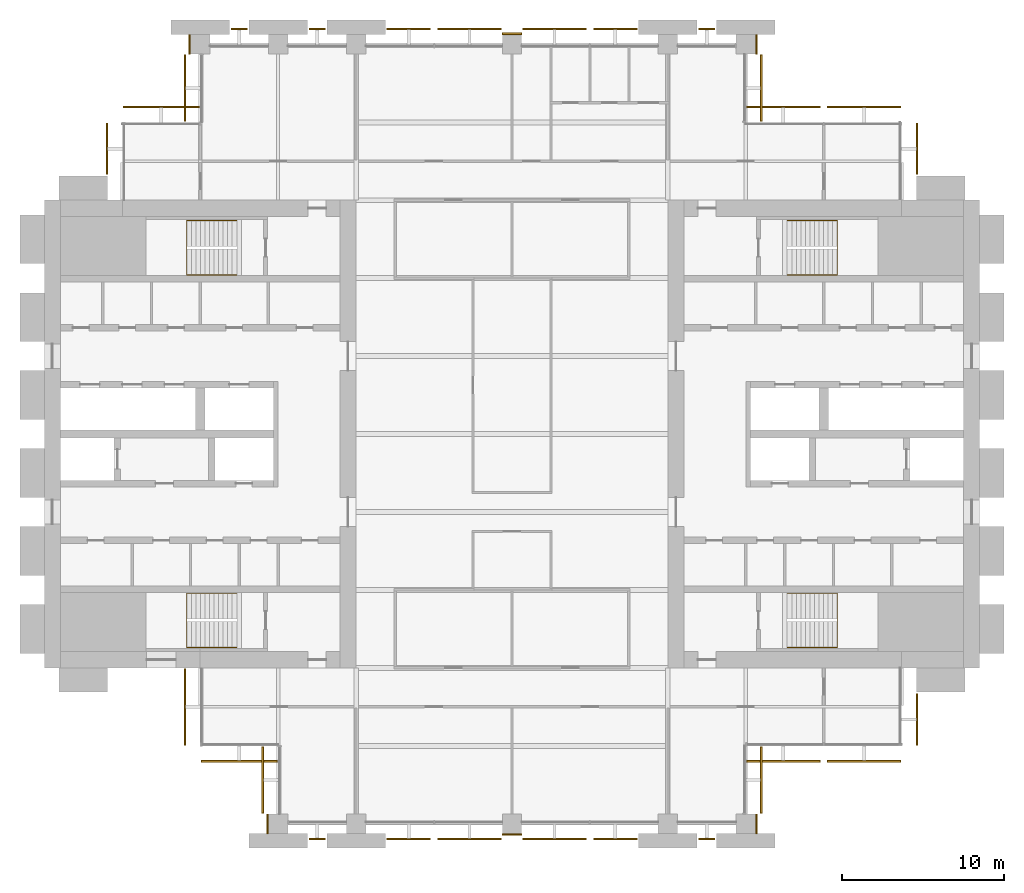
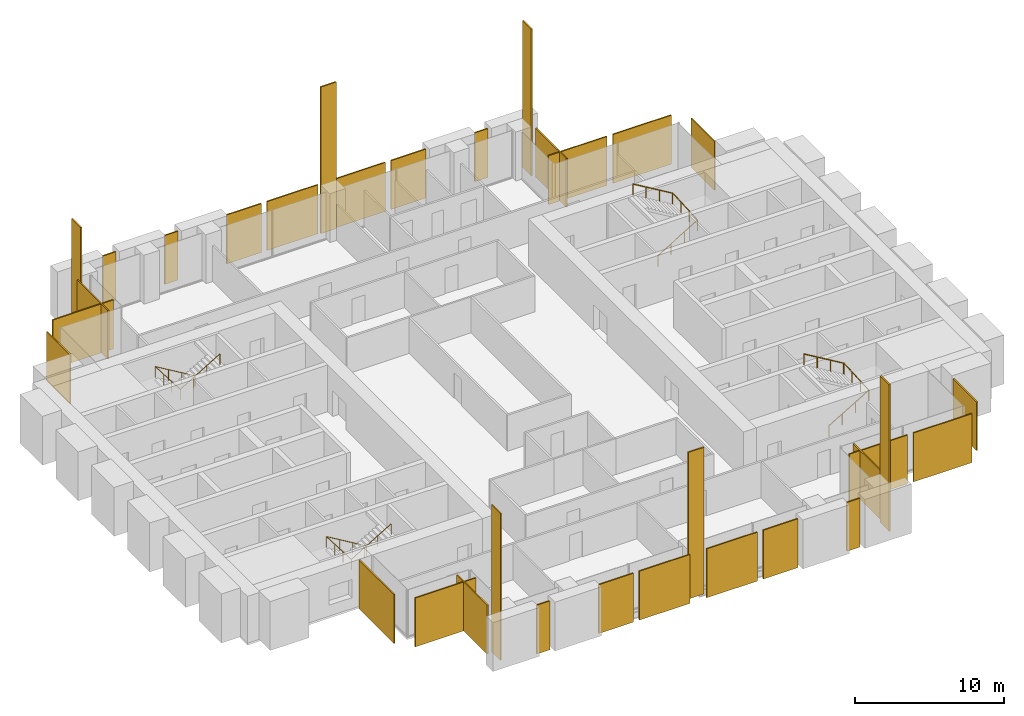
# One storey, part 14 of 14: 33 coverings, 4 railings.
"""IFC4 building model written with IfcOpenShell, lengths in metres."""

from ifc_helpers import new_model, si_unit, direction, frame, origin, origin_2d, place, context, subcontext, project, spatial, polyline, rectangle, circle, outline, extrude, material, layer, layer_set, type_object, element, save


model = new_model("IFC4")

# Units and contexts
model_context = context("Model", 3, precision=1e-05, world=origin(), true_north=direction((0.0, 1.0)))
body_context = subcontext(model_context, "Body", "Model", "MODEL_VIEW")
ifc_project = project(units=[si_unit("LENGTHUNIT", "METRE"), si_unit("AREAUNIT", "SQUARE_METRE"), si_unit("VOLUMEUNIT", "CUBIC_METRE"), si_unit("PLANEANGLEUNIT", "RADIAN"), si_unit("MASSUNIT", "GRAM", prefix="KILO")], contexts=[model_context])

# Site, building, storey
site_placement = place(None, origin())
site = spatial("IfcSite", under=ifc_project, at=site_placement, CompositionType="ELEMENT")
building_placement = place(site_placement, origin())
building = spatial("IfcBuilding", under=site, at=building_placement, Name="Baori Bourse Tower", CompositionType="ELEMENT")
storey_placement = place(building_placement, frame((0.0, 0.0, 108.10009765625)))
storey = spatial("IfcBuildingStorey", under=building, at=storey_placement, Name="L22", CompositionType="ELEMENT", Elevation=108.10009765625)

# Railings
ifc_material_1 = material(Name="Powder-coated steel balustrade", Category="steel")
railing_type = type_object("IfcRailingType", Name="Core stair handrail", PredefinedType="HANDRAIL", material=ifc_material_1)
railing_1_placement = place(storey_placement, frame((11.85009765625, 14.199951171875, 0.16650390625)))
element("IfcRailing", 1, at=railing_1_placement, inside=storey, type_object=railing_type, Name="L22 ST1 stair handrail 1", PredefinedType="HANDRAIL", context=body_context, shape_type="SweptSolid", body=[
    extrude(circle(Radius=0.02392578125, at=origin_2d()), frame((0.0, 0.0, 0.8759765625), z_axis=(-0.85927862911, 0.0, 0.511507807912), x_axis=(0.0, -1.0, 0.0)), (0.0, 0.0, 1.0), 3.58447265625),
    extrude(circle(Radius=0.02392578125, at=origin_2d()), frame((-3.080078125, 0.0, 2.70947265625), z_axis=(0.0, -0.998766999029, 0.049643545903), x_axis=(1.0, 0.0, 0.0)), (0.0, 0.0, 1.0), 3.35400390625),
    extrude(circle(Radius=0.02392578125, at=origin_2d()), frame((-3.080078125, -3.349853515625, 2.8759765625), z_axis=(0.85927862911, 0.0, 0.511507807912), x_axis=(0.0, 1.0, 0.0)), (0.0, 0.0, 1.0), 3.58447265625),
    extrude(circle(Radius=0.02099609375, at=origin_2d()), origin(), (0.0, 0.0, 1.0), 0.851806640625),
    extrude(circle(Radius=0.02099609375, at=origin_2d()), frame((-1.026611328125, 0.0, 0.611083984375)), (0.0, 0.0, 1.0), 0.851806640625),
    extrude(circle(Radius=0.02099609375, at=origin_2d()), frame((-2.053466796875, 0.0, 1.222412109375)), (0.0, 0.0, 1.0), 0.851806640625),
    extrude(circle(Radius=0.02099609375, at=origin_2d()), frame((-3.080078125, 0.0, 1.83349609375)), (0.0, 0.0, 1.0), 0.851806640625),
    extrude(circle(Radius=0.02099609375, at=origin_2d()), frame((-3.080078125, -1.11669921875, 1.888916015625)), (0.0, 0.0, 1.0), 0.851806640625),
    extrude(circle(Radius=0.02099609375, at=origin_2d()), frame((-3.080078125, -2.233154296875, 1.944580078125)), (0.0, 0.0, 1.0), 0.851806640625),
    extrude(circle(Radius=0.02099609375, at=origin_2d()), frame((-3.080078125, -3.349853515625, 2.0)), (0.0, 0.0, 1.0), 0.851806640625),
    extrude(circle(Radius=0.02099609375, at=origin_2d()), frame((-2.053466796875, -3.349853515625, 2.611083984375)), (0.0, 0.0, 1.0), 0.851806640625),
    extrude(circle(Radius=0.02099609375, at=origin_2d()), frame((-1.026611328125, -3.349853515625, 3.222412109375)), (0.0, 0.0, 1.0), 0.851806640625),
    extrude(circle(Radius=0.02099609375, at=origin_2d()), frame((0.0, -3.349853515625, 3.83349609375)), (0.0, 0.0, 1.0), 0.851806640625),
])
railing_2_placement = place(storey_placement, frame((11.85009765625, 37.14990234375, 0.16650390625)))
element("IfcRailing", 2, at=railing_2_placement, inside=storey, type_object=railing_type, Name="L22 ST2 stair handrail 1", PredefinedType="HANDRAIL", context=body_context, shape_type="SweptSolid", body=[
    extrude(circle(Radius=0.02392578125, at=origin_2d()), frame((0.0, 0.0, 0.8759765625), z_axis=(-0.85927862911, 0.0, 0.511507807912), x_axis=(0.0, -1.0, 0.0)), (0.0, 0.0, 1.0), 3.58447265625),
    extrude(circle(Radius=0.02392578125, at=origin_2d()), frame((-3.080078125, 0.0, 2.70947265625), z_axis=(0.0, -0.998766999029, 0.049643545903), x_axis=(1.0, 0.0, 0.0)), (0.0, 0.0, 1.0), 3.35400390625),
    extrude(circle(Radius=0.02392578125, at=origin_2d()), frame((-3.080078125, -3.349853515625, 2.8759765625), z_axis=(0.85927862911, 0.0, 0.511507807912), x_axis=(0.0, 1.0, 0.0)), (0.0, 0.0, 1.0), 3.58447265625),
    extrude(circle(Radius=0.02099609375, at=origin_2d()), origin(), (0.0, 0.0, 1.0), 0.851806640625),
    extrude(circle(Radius=0.02099609375, at=origin_2d()), frame((-1.026611328125, 0.0, 0.611083984375)), (0.0, 0.0, 1.0), 0.851806640625),
    extrude(circle(Radius=0.02099609375, at=origin_2d()), frame((-2.053466796875, 0.0, 1.222412109375)), (0.0, 0.0, 1.0), 0.851806640625),
    extrude(circle(Radius=0.02099609375, at=origin_2d()), frame((-3.080078125, 0.0, 1.83349609375)), (0.0, 0.0, 1.0), 0.851806640625),
    extrude(circle(Radius=0.02099609375, at=origin_2d()), frame((-3.080078125, -1.11669921875, 1.888916015625)), (0.0, 0.0, 1.0), 0.851806640625),
    extrude(circle(Radius=0.02099609375, at=origin_2d()), frame((-3.080078125, -2.233154296875, 1.944580078125)), (0.0, 0.0, 1.0), 0.851806640625),
    extrude(circle(Radius=0.02099609375, at=origin_2d()), frame((-3.080078125, -3.349853515625, 2.0)), (0.0, 0.0, 1.0), 0.851806640625),
    extrude(circle(Radius=0.02099609375, at=origin_2d()), frame((-2.053466796875, -3.349853515625, 2.611083984375)), (0.0, 0.0, 1.0), 0.851806640625),
    extrude(circle(Radius=0.02099609375, at=origin_2d()), frame((-1.026611328125, -3.349853515625, 3.222412109375)), (0.0, 0.0, 1.0), 0.851806640625),
    extrude(circle(Radius=0.02099609375, at=origin_2d()), frame((0.0, -3.349853515625, 3.83349609375)), (0.0, 0.0, 1.0), 0.851806640625),
])
railing_3_placement = place(storey_placement, frame((45.75, 10.85009765625, 0.16650390625)))
element("IfcRailing", 3, at=railing_3_placement, inside=storey, type_object=railing_type, Name="L22 ST3 stair handrail 1", PredefinedType="HANDRAIL", context=body_context, shape_type="SweptSolid", body=[
    extrude(circle(Radius=0.02392578125, at=origin_2d()), frame((0.0, 0.0, 0.8759765625), z_axis=(0.85927862911, 0.0, 0.511507807912), x_axis=(0.0, 1.0, 0.0)), (0.0, 0.0, 1.0), 3.58447265625),
    extrude(circle(Radius=0.02392578125, at=origin_2d()), frame((3.080078125, 0.0, 2.70947265625), z_axis=(0.0, 0.998766999029, 0.049643545903), x_axis=(-1.0, 0.0, 0.0)), (0.0, 0.0, 1.0), 3.35400390625),
    extrude(circle(Radius=0.02392578125, at=origin_2d()), frame((3.080078125, 3.349853515625, 2.8759765625), z_axis=(-0.85927862911, 0.0, 0.511507807912), x_axis=(0.0, -1.0, 0.0)), (0.0, 0.0, 1.0), 3.58447265625),
    extrude(circle(Radius=0.02099609375, at=origin_2d()), origin(), (0.0, 0.0, 1.0), 0.851806640625),
    extrude(circle(Radius=0.02099609375, at=origin_2d()), frame((1.026611328125, 0.0, 0.611083984375)), (0.0, 0.0, 1.0), 0.851806640625),
    extrude(circle(Radius=0.02099609375, at=origin_2d()), frame((2.053466796875, 0.0, 1.222412109375)), (0.0, 0.0, 1.0), 0.851806640625),
    extrude(circle(Radius=0.02099609375, at=origin_2d()), frame((3.080078125, 0.0, 1.83349609375)), (0.0, 0.0, 1.0), 0.851806640625),
    extrude(circle(Radius=0.02099609375, at=origin_2d()), frame((3.080078125, 1.11669921875, 1.888916015625)), (0.0, 0.0, 1.0), 0.851806640625),
    extrude(circle(Radius=0.02099609375, at=origin_2d()), frame((3.080078125, 2.233154296875, 1.944580078125)), (0.0, 0.0, 1.0), 0.851806640625),
    extrude(circle(Radius=0.02099609375, at=origin_2d()), frame((3.080078125, 3.349853515625, 2.0)), (0.0, 0.0, 1.0), 0.851806640625),
    extrude(circle(Radius=0.02099609375, at=origin_2d()), frame((2.053466796875, 3.349853515625, 2.611083984375)), (0.0, 0.0, 1.0), 0.851806640625),
    extrude(circle(Radius=0.02099609375, at=origin_2d()), frame((1.026611328125, 3.349853515625, 3.222412109375)), (0.0, 0.0, 1.0), 0.851806640625),
    extrude(circle(Radius=0.02099609375, at=origin_2d()), frame((0.0, 3.349853515625, 3.83349609375)), (0.0, 0.0, 1.0), 0.851806640625),
])
railing_4_placement = place(storey_placement, frame((45.75, 33.800048828125, 0.16650390625)))
element("IfcRailing", 4, at=railing_4_placement, inside=storey, type_object=railing_type, Name="L22 ST4 stair handrail 1", PredefinedType="HANDRAIL", context=body_context, shape_type="SweptSolid", body=[
    extrude(circle(Radius=0.02392578125, at=origin_2d()), frame((0.0, 0.0, 0.8759765625), z_axis=(0.85927862911, 0.0, 0.511507807912), x_axis=(0.0, 1.0, 0.0)), (0.0, 0.0, 1.0), 3.58447265625),
    extrude(circle(Radius=0.02392578125, at=origin_2d()), frame((3.080078125, 0.0, 2.70947265625), z_axis=(0.0, 0.998766999029, 0.049643545903), x_axis=(-1.0, 0.0, 0.0)), (0.0, 0.0, 1.0), 3.35400390625),
    extrude(circle(Radius=0.02392578125, at=origin_2d()), frame((3.080078125, 3.349853515625, 2.8759765625), z_axis=(-0.85927862911, 0.0, 0.511507807912), x_axis=(0.0, -1.0, 0.0)), (0.0, 0.0, 1.0), 3.58447265625),
    extrude(circle(Radius=0.02099609375, at=origin_2d()), origin(), (0.0, 0.0, 1.0), 0.851806640625),
    extrude(circle(Radius=0.02099609375, at=origin_2d()), frame((1.026611328125, 0.0, 0.611083984375)), (0.0, 0.0, 1.0), 0.851806640625),
    extrude(circle(Radius=0.02099609375, at=origin_2d()), frame((2.053466796875, 0.0, 1.222412109375)), (0.0, 0.0, 1.0), 0.851806640625),
    extrude(circle(Radius=0.02099609375, at=origin_2d()), frame((3.080078125, 0.0, 1.83349609375)), (0.0, 0.0, 1.0), 0.851806640625),
    extrude(circle(Radius=0.02099609375, at=origin_2d()), frame((3.080078125, 1.11669921875, 1.888916015625)), (0.0, 0.0, 1.0), 0.851806640625),
    extrude(circle(Radius=0.02099609375, at=origin_2d()), frame((3.080078125, 2.233154296875, 1.944580078125)), (0.0, 0.0, 1.0), 0.851806640625),
    extrude(circle(Radius=0.02099609375, at=origin_2d()), frame((3.080078125, 3.349853515625, 2.0)), (0.0, 0.0, 1.0), 0.851806640625),
    extrude(circle(Radius=0.02099609375, at=origin_2d()), frame((2.053466796875, 3.349853515625, 2.611083984375)), (0.0, 0.0, 1.0), 0.851806640625),
    extrude(circle(Radius=0.02099609375, at=origin_2d()), frame((1.026611328125, 3.349853515625, 3.222412109375)), (0.0, 0.0, 1.0), 0.851806640625),
    extrude(circle(Radius=0.02099609375, at=origin_2d()), frame((0.0, 3.349853515625, 3.83349609375)), (0.0, 0.0, 1.0), 0.851806640625),
])

# Coverings
ifc_material_2 = material(Name="Pale anodised aluminium", Category="aluminium")
ifc_layer_1 = layer(ifc_material_2, 0.10009765625)
ifc_layer_set_1 = layer_set([ifc_layer_1], Name="OS3 Outer skin screen panel")
covering_type_1 = type_object("IfcCoveringType", Name="OS3 Outer skin screen panel", PredefinedType="CLADDING", material=ifc_layer_set_1)
covering_1_placement = place(storey_placement, frame((0.0, 0.0, -0.16015625)))
element("IfcCovering", 5, at=covering_1_placement, inside=storey, type_object=covering_type_1, Name="Outer skin screen L22 1", PredefinedType="CLADDING", context=body_context, shape_type="SweptSolid", body=[
    extrude(outline(polyline([(53.699951171875, 43.14990234375), (53.699951171875, 40.0), (53.800048828125, 40.0), (53.800048828125, 43.14990234375), (53.699951171875, 43.14990234375)])), origin(), (0.0, 0.0, 1.0), 4.0),
])
covering_2_placement = place(storey_placement, frame((0.0, 0.0, -0.16015625)))
element("IfcCovering", 6, at=covering_2_placement, inside=storey, type_object=covering_type_1, Name="Outer skin screen L22 2", PredefinedType="CLADDING", context=body_context, shape_type="SweptSolid", body=[
    extrude(outline(polyline([(48.22509765625, 44.10009765625), (52.75, 44.10009765625), (52.75, 44.199951171875), (48.22509765625, 44.199951171875), (48.22509765625, 44.10009765625)])), origin(), (0.0, 0.0, 1.0), 4.0),
])
covering_3_placement = place(storey_placement, frame((0.0, 0.0, -0.16015625)))
element("IfcCovering", 7, at=covering_3_placement, inside=storey, type_object=covering_type_1, Name="Outer skin screen L22 3", PredefinedType="CLADDING", context=body_context, shape_type="SweptSolid", body=[
    extrude(outline(polyline([(43.25, 44.10009765625), (47.77490234375, 44.10009765625), (47.77490234375, 44.199951171875), (43.25, 44.199951171875), (43.25, 44.10009765625)])), origin(), (0.0, 0.0, 1.0), 4.0),
])
covering_4_placement = place(storey_placement, frame((0.0, 0.0, -0.16015625)))
element("IfcCovering", 8, at=covering_4_placement, inside=storey, type_object=covering_type_1, Name="Outer skin screen L22 4", PredefinedType="CLADDING", context=body_context, shape_type="SweptSolid", body=[
    extrude(outline(polyline([(44.10009765625, 47.35009765625), (44.10009765625, 43.25), (44.199951171875, 43.25), (44.199951171875, 47.35009765625), (44.10009765625, 47.35009765625)])), origin(), (0.0, 0.0, 1.0), 4.0),
])
covering_5_placement = place(storey_placement, frame((0.0, 0.0, -0.16015625)))
element("IfcCovering", 9, at=covering_5_placement, inside=storey, type_object=covering_type_1, Name="Outer skin screen L22 5", PredefinedType="CLADDING", context=body_context, shape_type="SweptSolid", body=[
    extrude(outline(polyline([(40.300048828125, 48.89990234375), (41.300048828125, 48.89990234375), (41.300048828125, 49.0), (40.300048828125, 49.0), (40.300048828125, 48.89990234375)])), origin(), (0.0, 0.0, 1.0), 4.0),
])
covering_6_placement = place(storey_placement, frame((0.0, 0.0, -0.16015625)))
element("IfcCovering", 10, at=covering_6_placement, inside=storey, type_object=covering_type_1, Name="Outer skin screen L22 6", PredefinedType="CLADDING", context=body_context, shape_type="SweptSolid", body=[
    extrude(outline(polyline([(33.824951171875, 48.89990234375), (36.5, 48.89990234375), (36.5, 49.0), (33.824951171875, 49.0), (33.824951171875, 48.89990234375)])), origin(), (0.0, 0.0, 1.0), 4.0),
])
covering_7_placement = place(storey_placement, frame((0.0, 0.0, -0.16015625)))
element("IfcCovering", 11, at=covering_7_placement, inside=storey, type_object=covering_type_1, Name="Outer skin screen L22 7", PredefinedType="CLADDING", context=body_context, shape_type="SweptSolid", body=[
    extrude(outline(polyline([(29.449951171875, 48.89990234375), (33.375, 48.89990234375), (33.375, 49.0), (29.449951171875, 49.0), (29.449951171875, 48.89990234375)])), origin(), (0.0, 0.0, 1.0), 4.0),
])
covering_8_placement = place(storey_placement, frame((0.0, 0.0, -0.16015625)))
element("IfcCovering", 12, at=covering_8_placement, inside=storey, type_object=covering_type_1, Name="Outer skin screen L22 8", PredefinedType="CLADDING", context=body_context, shape_type="SweptSolid", body=[
    extrude(outline(polyline([(24.22509765625, 48.89990234375), (28.14990234375, 48.89990234375), (28.14990234375, 49.0), (24.22509765625, 49.0), (24.22509765625, 48.89990234375)])), origin(), (0.0, 0.0, 1.0), 4.0),
])
covering_9_placement = place(storey_placement, frame((0.0, 0.0, -0.16015625)))
element("IfcCovering", 13, at=covering_9_placement, inside=storey, type_object=covering_type_1, Name="Outer skin screen L22 9", PredefinedType="CLADDING", context=body_context, shape_type="SweptSolid", body=[
    extrude(outline(polyline([(21.10009765625, 48.89990234375), (23.77490234375, 48.89990234375), (23.77490234375, 49.0), (21.10009765625, 49.0), (21.10009765625, 48.89990234375)])), origin(), (0.0, 0.0, 1.0), 4.0),
])
covering_10_placement = place(storey_placement, frame((0.0, 0.0, -0.16015625)))
element("IfcCovering", 14, at=covering_10_placement, inside=storey, type_object=covering_type_1, Name="Outer skin screen L22 10", PredefinedType="CLADDING", context=body_context, shape_type="SweptSolid", body=[
    extrude(outline(polyline([(16.300048828125, 48.89990234375), (17.300048828125, 48.89990234375), (17.300048828125, 49.0), (16.300048828125, 49.0), (16.300048828125, 48.89990234375)])), origin(), (0.0, 0.0, 1.0), 4.0),
])
covering_11_placement = place(storey_placement, frame((0.0, 0.0, -0.16015625)))
element("IfcCovering", 15, at=covering_11_placement, inside=storey, type_object=covering_type_1, Name="Outer skin screen L22 11", PredefinedType="CLADDING", context=body_context, shape_type="SweptSolid", body=[
    extrude(outline(polyline([(11.5, 48.89990234375), (12.5, 48.89990234375), (12.5, 49.0), (11.5, 49.0), (11.5, 48.89990234375)])), origin(), (0.0, 0.0, 1.0), 4.0),
])
covering_12_placement = place(storey_placement, frame((0.0, 0.0, -0.16015625)))
element("IfcCovering", 16, at=covering_12_placement, inside=storey, type_object=covering_type_1, Name="Outer skin screen L22 12", PredefinedType="CLADDING", context=body_context, shape_type="SweptSolid", body=[
    extrude(outline(polyline([(8.699951171875, 43.25), (8.699951171875, 47.35009765625), (8.60009765625, 47.35009765625), (8.60009765625, 43.25), (8.699951171875, 43.25)])), origin(), (0.0, 0.0, 1.0), 4.0),
])
covering_13_placement = place(storey_placement, frame((0.0, 0.0, -0.16015625)))
element("IfcCovering", 17, at=covering_13_placement, inside=storey, type_object=covering_type_1, Name="Outer skin screen L22 13", PredefinedType="CLADDING", context=body_context, shape_type="SweptSolid", body=[
    extrude(outline(polyline([(4.85009765625, 44.10009765625), (9.550048828125, 44.10009765625), (9.550048828125, 44.199951171875), (4.85009765625, 44.199951171875), (4.85009765625, 44.10009765625)])), origin(), (0.0, 0.0, 1.0), 4.0),
])
covering_14_placement = place(storey_placement, frame((0.0, 0.0, -0.16015625)))
element("IfcCovering", 18, at=covering_14_placement, inside=storey, type_object=covering_type_1, Name="Outer skin screen L22 14", PredefinedType="CLADDING", context=body_context, shape_type="SweptSolid", body=[
    extrude(outline(polyline([(3.89990234375, 40.0), (3.89990234375, 43.14990234375), (3.800048828125, 43.14990234375), (3.800048828125, 40.0), (3.89990234375, 40.0), (3.89990234375, 40.0)])), origin(), (0.0, 0.0, 1.0), 4.0),
])
covering_15_placement = place(storey_placement, frame((0.0, 0.0, -0.16015625)))
element("IfcCovering", 19, at=covering_15_placement, inside=storey, type_object=covering_type_1, Name="Outer skin screen L22 15", PredefinedType="CLADDING", context=body_context, shape_type="SweptSolid", body=[
    extrude(outline(polyline([(8.699951171875, 4.85009765625), (8.699951171875, 9.550048828125), (8.60009765625, 9.550048828125), (8.60009765625, 4.85009765625), (8.699951171875, 4.85009765625)])), origin(), (0.0, 0.0, 1.0), 4.0),
])
covering_16_placement = place(storey_placement, frame((0.0, 0.0, -0.16015625)))
element("IfcCovering", 20, at=covering_16_placement, inside=storey, type_object=covering_type_1, Name="Outer skin screen L22 16", PredefinedType="CLADDING", context=body_context, shape_type="SweptSolid", body=[
    extrude(outline(polyline([(14.35009765625, 3.89990234375), (9.64990234375, 3.89990234375), (9.64990234375, 3.800048828125), (14.35009765625, 3.800048828125), (14.35009765625, 3.89990234375)])), origin(), (0.0, 0.0, 1.0), 4.0),
])
covering_17_placement = place(storey_placement, frame((0.0, 0.0, -0.16015625)))
element("IfcCovering", 21, at=covering_17_placement, inside=storey, type_object=covering_type_1, Name="Outer skin screen L22 17", PredefinedType="CLADDING", context=body_context, shape_type="SweptSolid", body=[
    extrude(outline(polyline([(13.5, 0.64990234375), (13.5, 4.75), (13.39990234375, 4.75), (13.39990234375, 0.64990234375), (13.5, 0.64990234375)])), origin(), (0.0, 0.0, 1.0), 4.0),
])
covering_18_placement = place(storey_placement, frame((0.0, 0.0, -0.16015625)))
element("IfcCovering", 22, at=covering_18_placement, inside=storey, type_object=covering_type_1, Name="Outer skin screen L22 18", PredefinedType="CLADDING", context=body_context, shape_type="SweptSolid", body=[
    extrude(outline(polyline([(17.300048828125, -0.89990234375), (16.300048828125, -0.89990234375), (16.300048828125, -1.0), (17.300048828125, -1.0), (17.300048828125, -0.89990234375)])), origin(), (0.0, 0.0, 1.0), 4.0),
])
covering_19_placement = place(storey_placement, frame((0.0, 0.0, -0.16015625)))
element("IfcCovering", 23, at=covering_19_placement, inside=storey, type_object=covering_type_1, Name="Outer skin screen L22 19", PredefinedType="CLADDING", context=body_context, shape_type="SweptSolid", body=[
    extrude(outline(polyline([(23.77490234375, -0.89990234375), (21.10009765625, -0.89990234375), (21.10009765625, -1.0), (23.77490234375, -1.0), (23.77490234375, -0.89990234375)])), origin(), (0.0, 0.0, 1.0), 4.0),
])
covering_20_placement = place(storey_placement, frame((0.0, 0.0, -0.16015625)))
element("IfcCovering", 24, at=covering_20_placement, inside=storey, type_object=covering_type_1, Name="Outer skin screen L22 20", PredefinedType="CLADDING", context=body_context, shape_type="SweptSolid", body=[
    extrude(outline(polyline([(28.14990234375, -0.89990234375), (24.22509765625, -0.89990234375), (24.22509765625, -1.0), (28.14990234375, -1.0), (28.14990234375, -0.89990234375)])), origin(), (0.0, 0.0, 1.0), 4.0),
])
covering_21_placement = place(storey_placement, frame((0.0, 0.0, -0.16015625)))
element("IfcCovering", 25, at=covering_21_placement, inside=storey, type_object=covering_type_1, Name="Outer skin screen L22 21", PredefinedType="CLADDING", context=body_context, shape_type="SweptSolid", body=[
    extrude(outline(polyline([(33.375, -0.89990234375), (29.449951171875, -0.89990234375), (29.449951171875, -1.0), (33.375, -1.0), (33.375, -0.89990234375)])), origin(), (0.0, 0.0, 1.0), 4.0),
])
covering_22_placement = place(storey_placement, frame((0.0, 0.0, -0.16015625)))
element("IfcCovering", 26, at=covering_22_placement, inside=storey, type_object=covering_type_1, Name="Outer skin screen L22 22", PredefinedType="CLADDING", context=body_context, shape_type="SweptSolid", body=[
    extrude(outline(polyline([(36.5, -0.89990234375), (33.824951171875, -0.89990234375), (33.824951171875, -1.0), (36.5, -1.0), (36.5, -0.89990234375)])), origin(), (0.0, 0.0, 1.0), 4.0),
])
covering_23_placement = place(storey_placement, frame((0.0, 0.0, -0.16015625)))
element("IfcCovering", 27, at=covering_23_placement, inside=storey, type_object=covering_type_1, Name="Outer skin screen L22 23", PredefinedType="CLADDING", context=body_context, shape_type="SweptSolid", body=[
    extrude(outline(polyline([(41.300048828125, -0.89990234375), (40.300048828125, -0.89990234375), (40.300048828125, -1.0), (41.300048828125, -1.0), (41.300048828125, -0.89990234375)])), origin(), (0.0, 0.0, 1.0), 4.0),
])
covering_24_placement = place(storey_placement, frame((0.0, 0.0, -0.16015625)))
element("IfcCovering", 28, at=covering_24_placement, inside=storey, type_object=covering_type_1, Name="Outer skin screen L22 24", PredefinedType="CLADDING", context=body_context, shape_type="SweptSolid", body=[
    extrude(outline(polyline([(44.10009765625, 4.75), (44.10009765625, 0.64990234375), (44.199951171875, 0.64990234375), (44.199951171875, 4.75), (44.10009765625, 4.75)])), origin(), (0.0, 0.0, 1.0), 4.0),
])
covering_25_placement = place(storey_placement, frame((0.0, 0.0, -0.16015625)))
element("IfcCovering", 29, at=covering_25_placement, inside=storey, type_object=covering_type_1, Name="Outer skin screen L22 25", PredefinedType="CLADDING", context=body_context, shape_type="SweptSolid", body=[
    extrude(outline(polyline([(47.77490234375, 3.89990234375), (43.25, 3.89990234375), (43.25, 3.800048828125), (47.77490234375, 3.800048828125), (47.77490234375, 3.89990234375)])), origin(), (0.0, 0.0, 1.0), 4.0),
])
covering_26_placement = place(storey_placement, frame((0.0, 0.0, -0.16015625)))
element("IfcCovering", 30, at=covering_26_placement, inside=storey, type_object=covering_type_1, Name="Outer skin screen L22 26", PredefinedType="CLADDING", context=body_context, shape_type="SweptSolid", body=[
    extrude(outline(polyline([(52.75, 3.89990234375), (48.22509765625, 3.89990234375), (48.22509765625, 3.800048828125), (52.75, 3.800048828125), (52.75, 3.89990234375)])), origin(), (0.0, 0.0, 1.0), 4.0),
])
covering_27_placement = place(storey_placement, frame((0.0, 0.0, -0.16015625)))
element("IfcCovering", 31, at=covering_27_placement, inside=storey, type_object=covering_type_1, Name="Outer skin screen L22 27", PredefinedType="CLADDING", context=body_context, shape_type="SweptSolid", body=[
    extrude(outline(polyline([(53.699951171875, 8.0), (53.699951171875, 4.85009765625), (53.800048828125, 4.85009765625), (53.800048828125, 8.0), (53.699951171875, 8.0)])), origin(), (0.0, 0.0, 1.0), 4.0),
])
ifc_material_3 = material(Name="Face brick", Category="masonry")
ifc_layer_2 = layer(ifc_material_3, 0.110107421875)
ifc_layer_set_2 = layer_set([ifc_layer_2], Name="PC1 Brick pier facing")
covering_type_2 = type_object("IfcCoveringType", Name="PC1 Brick pier facing", PredefinedType="CLADDING", material=ifc_layer_set_2)
covering_28_placement = place(storey_placement, frame((13.7451171875, 0.0, 0.0), z_axis=(0.0, 0.0, 1.0), x_axis=(1.0, 0.0, 0.0)))
element("IfcCovering", 32, at=covering_28_placement, inside=storey, type_object=covering_type_2, Name="Brick pier facing L22 1", PredefinedType="CLADDING", context=body_context, shape_type="SweptSolid", body=[
    extrude(rectangle(XDim=0.110107421875, YDim=1.199951171875, at=origin_2d()), origin(), (0.0, 0.0, 1.0), 12.0),
])
covering_29_placement = place(storey_placement, frame((28.800048828125, -0.655029296875, 0.0), z_axis=(0.0, 0.0, 1.0), x_axis=(1.0, 0.0, 0.0)))
element("IfcCovering", 33, at=covering_29_placement, inside=storey, type_object=covering_type_2, Name="Brick pier facing L22 2", PredefinedType="CLADDING", context=body_context, shape_type="SweptSolid", body=[
    extrude(rectangle(XDim=1.199951171875, YDim=0.110107421875, at=origin_2d()), origin(), (0.0, 0.0, 1.0), 12.0),
])
covering_30_placement = place(storey_placement, frame((43.85498046875, 0.0, 0.0), z_axis=(0.0, 0.0, 1.0), x_axis=(1.0, 0.0, 0.0)))
element("IfcCovering", 34, at=covering_30_placement, inside=storey, type_object=covering_type_2, Name="Brick pier facing L22 3", PredefinedType="CLADDING", context=body_context, shape_type="SweptSolid", body=[
    extrude(rectangle(XDim=0.110107421875, YDim=1.199951171875, at=origin_2d()), origin(), (0.0, 0.0, 1.0), 12.0),
])
covering_31_placement = place(storey_placement, frame((8.945068359375, 48.0, 0.0), z_axis=(0.0, 0.0, 1.0), x_axis=(1.0, 0.0, 0.0)))
element("IfcCovering", 35, at=covering_31_placement, inside=storey, type_object=covering_type_2, Name="Brick pier facing L22 4", PredefinedType="CLADDING", context=body_context, shape_type="SweptSolid", body=[
    extrude(rectangle(XDim=0.110107421875, YDim=1.199951171875, at=origin_2d()), origin(), (0.0, 0.0, 1.0), 8.0),
])
covering_32_placement = place(storey_placement, frame((28.800048828125, 48.655029296875, 0.0), z_axis=(0.0, 0.0, 1.0), x_axis=(1.0, 0.0, 0.0)))
element("IfcCovering", 36, at=covering_32_placement, inside=storey, type_object=covering_type_2, Name="Brick pier facing L22 5", PredefinedType="CLADDING", context=body_context, shape_type="SweptSolid", body=[
    extrude(rectangle(XDim=1.199951171875, YDim=0.110107421875, at=origin_2d()), origin(), (0.0, 0.0, 1.0), 12.0),
])
covering_33_placement = place(storey_placement, frame((43.85498046875, 48.0, 0.0), z_axis=(0.0, 0.0, 1.0), x_axis=(1.0, 0.0, 0.0)))
element("IfcCovering", 37, at=covering_33_placement, inside=storey, type_object=covering_type_2, Name="Brick pier facing L22 6", PredefinedType="CLADDING", context=body_context, shape_type="SweptSolid", body=[
    extrude(rectangle(XDim=0.110107421875, YDim=1.199951171875, at=origin_2d()), origin(), (0.0, 0.0, 1.0), 12.0),
])

save(model, "model.ifc")
